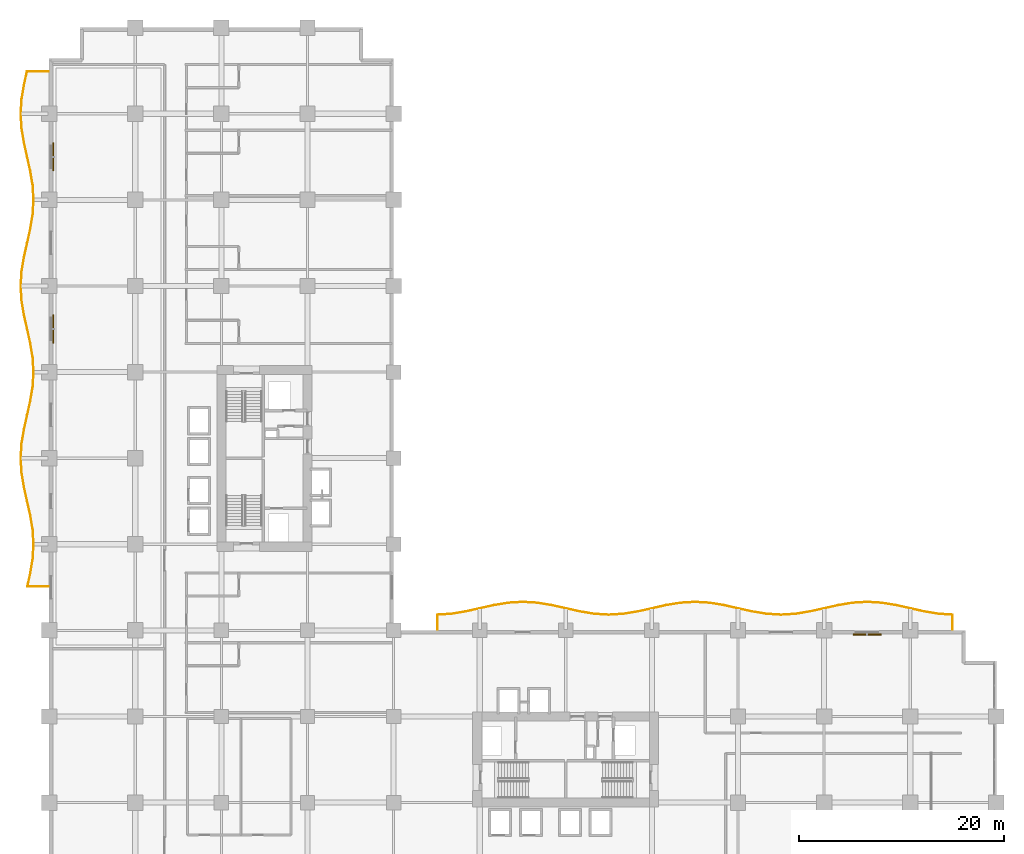
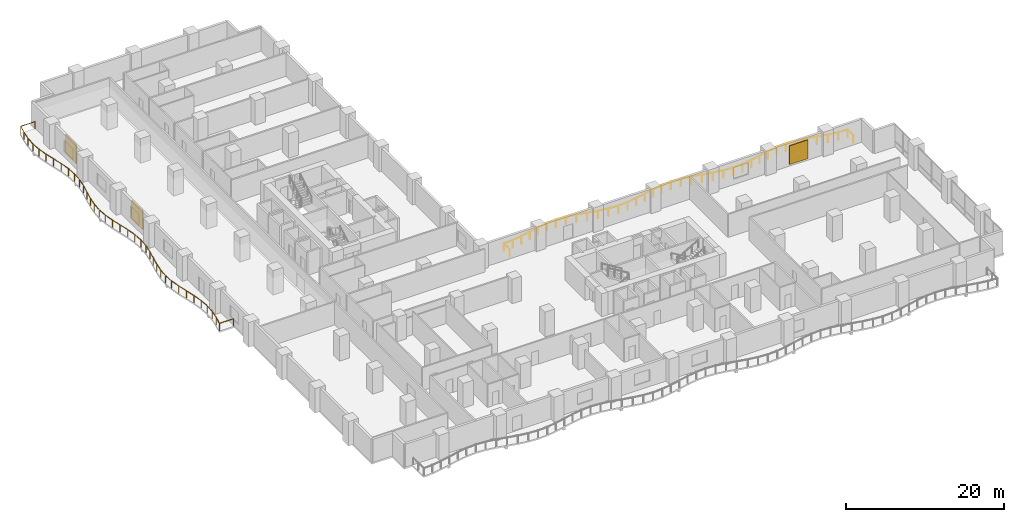
# One storey, part 27 of 27: 3 shading devices, 2 railings.
"""IFC4 building model written with IfcOpenShell, lengths in metres."""

from ifc_helpers import new_model, si_unit, direction, frame, origin, origin_2d, place, context, subcontext, project, spatial, rectangle, circle, extrude, material, layer, layer_set, type_object, element, save


model = new_model("IFC4")

# Units and contexts
model_context = context("Model", 3, precision=1e-05, world=origin(), true_north=direction((0.0, 1.0)))
body_context = subcontext(model_context, "Body", "Model", "MODEL_VIEW")
ifc_project = project(units=[si_unit("LENGTHUNIT", "METRE"), si_unit("AREAUNIT", "SQUARE_METRE"), si_unit("VOLUMEUNIT", "CUBIC_METRE"), si_unit("PLANEANGLEUNIT", "RADIAN"), si_unit("MASSUNIT", "GRAM", prefix="KILO")], contexts=[model_context])

# Site, building, storey
site_placement = place(None, origin())
site = spatial("IfcSite", under=ifc_project, at=site_placement, CompositionType="ELEMENT")
building_placement = place(site_placement, origin())
building = spatial("IfcBuilding", under=site, at=building_placement, Name="Koriwani Terraces Tower", CompositionType="ELEMENT")
storey_placement = place(building_placement, frame((0.0, 0.0, 54.800048828125)))
storey = spatial("IfcBuildingStorey", under=building, at=storey_placement, Name="L12", CompositionType="ELEMENT", Elevation=54.800048828125)

# Railings
ifc_material_1 = material(Name="Steel ASTM A572 Grade 50", Category="steel")
railing_type = type_object("IfcRailingType", Name="GUARD_BALUSTRADE_1150", PredefinedType="BALUSTRADE", material=ifc_material_1)
railing_1_placement = place(storey_placement, frame((-0.080078125, 37.8798828125, 0.0)))
element("IfcRailing", 1, at=railing_1_placement, inside=storey, type_object=railing_type, Name="L12 Balcony Perimeter Safety Balustrade (W)", PredefinedType="BALUSTRADE", context=body_context, shape_type="SweptSolid", body=[
    extrude(circle(Radius=0.02392578125, at=origin_2d()), frame((0.0, 0.0, 1.1259765625), z_axis=(-1.0, 0.0, 0.0), x_axis=(0.0, -1.0, 0.0)), (0.0, 0.0, 1.0), 2.045166015625),
    extrude(circle(Radius=0.02392578125, at=origin_2d()), frame((-2.045166015625, 0.0, 1.1259765625), z_axis=(0.217839055917, 0.975984705678, 0.0), x_axis=(-0.975984705678, 0.217839055917, 0.0)), (0.0, 0.0, 1.0), 1.337158203125),
    extrude(circle(Radius=0.02392578125, at=origin_2d()), frame((-1.75390625, 1.304931640625, 1.1259765625), z_axis=(0.161203411159, 0.986921202645, 0.0), x_axis=(-0.986921202645, 0.161203411159, 0.0)), (0.0, 0.0, 1.0), 1.425048828125),
    extrude(circle(Radius=0.02392578125, at=origin_2d()), frame((-1.524169921875, 2.71142578125, 1.1259765625), z_axis=(0.059685432622, 0.998217235442, 0.0), x_axis=(-0.998217235442, 0.059685432622, 0.0)), (0.0, 0.0, 1.0), 1.4111328125),
    extrude(circle(Radius=0.02392578125, at=origin_2d()), frame((-1.43994140625, 4.1201171875, 1.1259765625), z_axis=(-0.059685432622, 0.998217235442, 0.0), x_axis=(-0.998217235442, -0.059685432622, 0.0)), (0.0, 0.0, 1.0), 1.4111328125),
    extrude(circle(Radius=0.02392578125, at=origin_2d()), frame((-1.524169921875, 5.52880859375, 1.1259765625), z_axis=(-0.161203411159, 0.986921202645, 0.0), x_axis=(-0.986921202645, -0.161203411159, 0.0)), (0.0, 0.0, 1.0), 1.425048828125),
    extrude(circle(Radius=0.02392578125, at=origin_2d()), frame((-1.75390625, 6.935302734375, 1.1259765625), z_axis=(-0.217849413893, 0.975982393728, 0.0), x_axis=(-0.975982393728, -0.217849413893, 0.0)), (0.0, 0.0, 1.0), 2.868896484375),
    extrude(circle(Radius=0.02392578125, at=origin_2d()), frame((-2.37890625, 9.7353515625, 1.1259765625), z_axis=(-0.16131405304, 0.986903124066, 0.0), x_axis=(-0.986903124066, -0.16131405304, 0.0)), (0.0, 0.0, 1.0), 1.412109375),
    extrude(circle(Radius=0.02392578125, at=origin_2d()), frame((-2.606689453125, 11.12890625, 1.1259765625), z_axis=(-0.059738678687, 0.998214050326, 0.0), x_axis=(-0.998214050326, -0.059738678687, 0.0)), (0.0, 0.0, 1.0), 1.3935546875),
    extrude(circle(Radius=0.02392578125, at=origin_2d()), frame((-2.68994140625, 12.52001953125, 1.1259765625), z_axis=(0.059738678687, 0.998214050326, 0.0), x_axis=(-0.998214050326, 0.059738678687, 0.0)), (0.0, 0.0, 1.0), 1.3935546875),
    extrude(circle(Radius=0.02392578125, at=origin_2d()), frame((-2.606689453125, 13.9111328125, 1.1259765625), z_axis=(0.161286532042, 0.986907622111, 0.0), x_axis=(-0.986907622111, 0.161286532042, 0.0)), (0.0, 0.0, 1.0), 1.412353515625),
    extrude(circle(Radius=0.02392578125, at=origin_2d()), frame((-2.37890625, 15.304931640625, 1.1259765625), z_axis=(0.217849413893, 0.975982393728, 0.0), x_axis=(-0.975982393728, 0.217849413893, 0.0)), (0.0, 0.0, 1.0), 2.868896484375),
    extrude(circle(Radius=0.02392578125, at=origin_2d()), frame((-1.75390625, 18.10498046875, 1.1259765625), z_axis=(0.161230670401, 0.986916749742, 0.0), x_axis=(-0.986916749742, 0.161230670401, 0.0)), (0.0, 0.0, 1.0), 1.4248046875),
    extrude(circle(Radius=0.02392578125, at=origin_2d()), frame((-1.524169921875, 19.51123046875, 1.1259765625), z_axis=(0.059675127152, 0.998217851573, 0.0), x_axis=(-0.998217851573, 0.059675127152, 0.0)), (0.0, 0.0, 1.0), 1.411376953125),
    extrude(circle(Radius=0.02392578125, at=origin_2d()), frame((-1.43994140625, 20.920166015625, 1.1259765625), z_axis=(-0.059685432622, 0.998217235442, 0.0), x_axis=(-0.998217235442, -0.059685432622, 0.0)), (0.0, 0.0, 1.0), 1.4111328125),
    extrude(circle(Radius=0.02392578125, at=origin_2d()), frame((-1.524169921875, 22.328857421875, 1.1259765625), z_axis=(-0.161203411159, 0.986921202645, 0.0), x_axis=(-0.986921202645, -0.161203411159, 0.0)), (0.0, 0.0, 1.0), 1.425048828125),
    extrude(circle(Radius=0.02392578125, at=origin_2d()), frame((-1.75390625, 23.7353515625, 1.1259765625), z_axis=(-0.217849413893, 0.975982393728, 0.0), x_axis=(-0.975982393728, -0.217849413893, 0.0)), (0.0, 0.0, 1.0), 2.868896484375),
    extrude(circle(Radius=0.02392578125, at=origin_2d()), frame((-2.37890625, 26.535400390625, 1.1259765625), z_axis=(-0.16131405304, 0.986903124066, 0.0), x_axis=(-0.986903124066, -0.16131405304, 0.0)), (0.0, 0.0, 1.0), 1.412109375),
    extrude(circle(Radius=0.02392578125, at=origin_2d()), frame((-2.606689453125, 27.928955078125, 1.1259765625), z_axis=(-0.059738678687, 0.998214050326, 0.0), x_axis=(-0.998214050326, -0.059738678687, 0.0)), (0.0, 0.0, 1.0), 1.3935546875),
    extrude(circle(Radius=0.02392578125, at=origin_2d()), frame((-2.68994140625, 29.320068359375, 1.1259765625), z_axis=(0.059738678687, 0.998214050326, 0.0), x_axis=(-0.998214050326, 0.059738678687, 0.0)), (0.0, 0.0, 1.0), 1.3935546875),
    extrude(circle(Radius=0.02392578125, at=origin_2d()), frame((-2.606689453125, 30.711181640625, 1.1259765625), z_axis=(0.161286532042, 0.986907622111, 0.0), x_axis=(-0.986907622111, 0.161286532042, 0.0)), (0.0, 0.0, 1.0), 1.412353515625),
    extrude(circle(Radius=0.02392578125, at=origin_2d()), frame((-2.37890625, 32.10498046875, 1.1259765625), z_axis=(0.217849413893, 0.975982393728, 0.0), x_axis=(-0.975982393728, 0.217849413893, 0.0)), (0.0, 0.0, 1.0), 2.868896484375),
    extrude(circle(Radius=0.02392578125, at=origin_2d()), frame((-1.75390625, 34.905029296875, 1.1259765625), z_axis=(0.161230670401, 0.986916749742, 0.0), x_axis=(-0.986916749742, 0.161230670401, 0.0)), (0.0, 0.0, 1.0), 1.4248046875),
    extrude(circle(Radius=0.02392578125, at=origin_2d()), frame((-1.524169921875, 36.311279296875, 1.1259765625), z_axis=(0.059675127152, 0.998217851573, 0.0), x_axis=(-0.998217851573, 0.059675127152, 0.0)), (0.0, 0.0, 1.0), 1.411376953125),
    extrude(circle(Radius=0.02392578125, at=origin_2d()), frame((-1.43994140625, 37.72021484375, 1.1259765625), z_axis=(-0.059685432622, 0.998217235442, 0.0), x_axis=(-0.998217235442, -0.059685432622, 0.0)), (0.0, 0.0, 1.0), 1.4111328125),
    extrude(circle(Radius=0.02392578125, at=origin_2d()), frame((-1.524169921875, 39.12890625, 1.1259765625), z_axis=(-0.161203411159, 0.986921202645, 0.0), x_axis=(-0.986921202645, -0.161203411159, 0.0)), (0.0, 0.0, 1.0), 1.425048828125),
    extrude(circle(Radius=0.02392578125, at=origin_2d()), frame((-1.75390625, 40.535400390625, 1.1259765625), z_axis=(-0.217867508535, 0.97597835464, 0.0), x_axis=(-0.97597835464, -0.217867508535, 0.0)), (0.0, 0.0, 1.0), 2.86865234375),
    extrude(circle(Radius=0.02392578125, at=origin_2d()), frame((-2.37890625, 43.335205078125, 1.1259765625), z_axis=(-0.161286532042, 0.986907622111, 0.0), x_axis=(-0.986907622111, -0.161286532042, 0.0)), (0.0, 0.0, 1.0), 1.412353515625),
    extrude(circle(Radius=0.02392578125, at=origin_2d()), frame((-2.606689453125, 44.72900390625, 1.1259765625), z_axis=(-0.059738678687, 0.998214050326, 0.0), x_axis=(-0.998214050326, -0.059738678687, 0.0)), (0.0, 0.0, 1.0), 1.3935546875),
    extrude(circle(Radius=0.02392578125, at=origin_2d()), frame((-2.68994140625, 46.1201171875, 1.1259765625), z_axis=(0.059738678687, 0.998214050326, 0.0), x_axis=(-0.998214050326, 0.059738678687, 0.0)), (0.0, 0.0, 1.0), 1.3935546875),
    extrude(circle(Radius=0.02392578125, at=origin_2d()), frame((-2.606689453125, 47.51123046875, 1.1259765625), z_axis=(0.161286532042, 0.986907622111, 0.0), x_axis=(-0.986907622111, 0.161286532042, 0.0)), (0.0, 0.0, 1.0), 1.412353515625),
    extrude(circle(Radius=0.02392578125, at=origin_2d()), frame((-2.37890625, 48.905029296875, 1.1259765625), z_axis=(0.217894011137, 0.97597243809, 0.0), x_axis=(-0.97597243809, 0.217894011137, 0.0)), (0.0, 0.0, 1.0), 1.3681640625),
    extrude(circle(Radius=0.02392578125, at=origin_2d()), frame((-2.080810546875, 50.240234375, 1.1259765625), z_axis=(1.0, 0.0, 0.0), x_axis=(0.0, 1.0, 0.0)), (0.0, 0.0, 1.0), 2.080810546875),
    extrude(circle(Radius=0.02099609375, at=origin_2d()), origin(), (0.0, 0.0, 1.0), 1.101806640625),
    extrude(circle(Radius=0.02099609375, at=origin_2d()), frame((-2.045166015625, 0.0, 0.0)), (0.0, 0.0, 1.0), 1.101806640625),
    extrude(circle(Radius=0.02099609375, at=origin_2d()), frame((-1.75390625, 1.304931640625, 0.0)), (0.0, 0.0, 1.0), 1.101806640625),
    extrude(circle(Radius=0.02099609375, at=origin_2d()), frame((-1.524169921875, 2.71142578125, 0.0)), (0.0, 0.0, 1.0), 1.101806640625),
    extrude(circle(Radius=0.02099609375, at=origin_2d()), frame((-1.43994140625, 4.1201171875, 0.0)), (0.0, 0.0, 1.0), 1.101806640625),
    extrude(circle(Radius=0.02099609375, at=origin_2d()), frame((-1.524169921875, 5.52880859375, 0.0)), (0.0, 0.0, 1.0), 1.101806640625),
    extrude(circle(Radius=0.02099609375, at=origin_2d()), frame((-1.75390625, 6.935302734375, 0.0)), (0.0, 0.0, 1.0), 1.101806640625),
    extrude(circle(Radius=0.02099609375, at=origin_2d()), frame((-2.06640625, 8.33544921875, 0.0)), (0.0, 0.0, 1.0), 1.101806640625),
    extrude(circle(Radius=0.02099609375, at=origin_2d()), frame((-2.37890625, 9.7353515625, 0.0)), (0.0, 0.0, 1.0), 1.101806640625),
    extrude(circle(Radius=0.02099609375, at=origin_2d()), frame((-2.606689453125, 11.12890625, 0.0)), (0.0, 0.0, 1.0), 1.101806640625),
    extrude(circle(Radius=0.02099609375, at=origin_2d()), frame((-2.68994140625, 12.52001953125, 0.0)), (0.0, 0.0, 1.0), 1.101806640625),
    extrude(circle(Radius=0.02099609375, at=origin_2d()), frame((-2.606689453125, 13.9111328125, 0.0)), (0.0, 0.0, 1.0), 1.101806640625),
    extrude(circle(Radius=0.02099609375, at=origin_2d()), frame((-2.37890625, 15.304931640625, 0.0)), (0.0, 0.0, 1.0), 1.101806640625),
    extrude(circle(Radius=0.02099609375, at=origin_2d()), frame((-2.06640625, 16.705078125, 0.0)), (0.0, 0.0, 1.0), 1.101806640625),
    extrude(circle(Radius=0.02099609375, at=origin_2d()), frame((-1.75390625, 18.10498046875, 0.0)), (0.0, 0.0, 1.0), 1.101806640625),
    extrude(circle(Radius=0.02099609375, at=origin_2d()), frame((-1.524169921875, 19.51123046875, 0.0)), (0.0, 0.0, 1.0), 1.101806640625),
    extrude(circle(Radius=0.02099609375, at=origin_2d()), frame((-1.43994140625, 20.920166015625, 0.0)), (0.0, 0.0, 1.0), 1.101806640625),
    extrude(circle(Radius=0.02099609375, at=origin_2d()), frame((-1.524169921875, 22.328857421875, 0.0)), (0.0, 0.0, 1.0), 1.101806640625),
    extrude(circle(Radius=0.02099609375, at=origin_2d()), frame((-1.75390625, 23.7353515625, 0.0)), (0.0, 0.0, 1.0), 1.101806640625),
    extrude(circle(Radius=0.02099609375, at=origin_2d()), frame((-2.06640625, 25.13525390625, 0.0)), (0.0, 0.0, 1.0), 1.101806640625),
    extrude(circle(Radius=0.02099609375, at=origin_2d()), frame((-2.37890625, 26.535400390625, 0.0)), (0.0, 0.0, 1.0), 1.101806640625),
    extrude(circle(Radius=0.02099609375, at=origin_2d()), frame((-2.606689453125, 27.928955078125, 0.0)), (0.0, 0.0, 1.0), 1.101806640625),
    extrude(circle(Radius=0.02099609375, at=origin_2d()), frame((-2.68994140625, 29.320068359375, 0.0)), (0.0, 0.0, 1.0), 1.101806640625),
    extrude(circle(Radius=0.02099609375, at=origin_2d()), frame((-2.606689453125, 30.711181640625, 0.0)), (0.0, 0.0, 1.0), 1.101806640625),
    extrude(circle(Radius=0.02099609375, at=origin_2d()), frame((-2.37890625, 32.10498046875, 0.0)), (0.0, 0.0, 1.0), 1.101806640625),
    extrude(circle(Radius=0.02099609375, at=origin_2d()), frame((-2.06640625, 33.5048828125, 0.0)), (0.0, 0.0, 1.0), 1.101806640625),
    extrude(circle(Radius=0.02099609375, at=origin_2d()), frame((-1.75390625, 34.905029296875, 0.0)), (0.0, 0.0, 1.0), 1.101806640625),
    extrude(circle(Radius=0.02099609375, at=origin_2d()), frame((-1.524169921875, 36.311279296875, 0.0)), (0.0, 0.0, 1.0), 1.101806640625),
    extrude(circle(Radius=0.02099609375, at=origin_2d()), frame((-1.43994140625, 37.72021484375, 0.0)), (0.0, 0.0, 1.0), 1.101806640625),
    extrude(circle(Radius=0.02099609375, at=origin_2d()), frame((-1.524169921875, 39.12890625, 0.0)), (0.0, 0.0, 1.0), 1.101806640625),
    extrude(circle(Radius=0.02099609375, at=origin_2d()), frame((-1.75390625, 40.535400390625, 0.0)), (0.0, 0.0, 1.0), 1.101806640625),
    extrude(circle(Radius=0.02099609375, at=origin_2d()), frame((-2.06640625, 41.935302734375, 0.0)), (0.0, 0.0, 1.0), 1.101806640625),
    extrude(circle(Radius=0.02099609375, at=origin_2d()), frame((-2.37890625, 43.335205078125, 0.0)), (0.0, 0.0, 1.0), 1.101806640625),
    extrude(circle(Radius=0.02099609375, at=origin_2d()), frame((-2.606689453125, 44.72900390625, 0.0)), (0.0, 0.0, 1.0), 1.101806640625),
    extrude(circle(Radius=0.02099609375, at=origin_2d()), frame((-2.68994140625, 46.1201171875, 0.0)), (0.0, 0.0, 1.0), 1.101806640625),
    extrude(circle(Radius=0.02099609375, at=origin_2d()), frame((-2.606689453125, 47.51123046875, 0.0)), (0.0, 0.0, 1.0), 1.101806640625),
    extrude(circle(Radius=0.02099609375, at=origin_2d()), frame((-2.37890625, 48.905029296875, 0.0)), (0.0, 0.0, 1.0), 1.101806640625),
    extrude(circle(Radius=0.02099609375, at=origin_2d()), frame((-2.080810546875, 50.240234375, 0.0)), (0.0, 0.0, 1.0), 1.101806640625),
    extrude(circle(Radius=0.02099609375, at=origin_2d()), frame((0.0, 50.240234375, 0.0)), (0.0, 0.0, 1.0), 1.101806640625),
])
railing_2_placement = place(storey_placement, frame((88.1201171875, 33.679931640625, 0.0)))
element("IfcRailing", 2, at=railing_2_placement, inside=storey, type_object=railing_type, Name="L12 Balcony Perimeter Safety Balustrade (NE)", PredefinedType="BALUSTRADE", context=body_context, shape_type="SweptSolid", body=[
    extrude(circle(Radius=0.02392578125, at=origin_2d()), frame((0.0, 0.0, 1.1259765625), z_axis=(0.0, 1.0, 0.0), x_axis=(-1.0, 0.0, 0.0)), (0.0, 0.0, 1.0), 1.444580078125),
    extrude(circle(Radius=0.02392578125, at=origin_2d()), frame((0.0, 1.444580078125, 1.1259765625), z_axis=(-0.998200237626, 0.059969038711, 0.0), x_axis=(-0.059969038711, -0.998200237626, 0.0)), (0.0, 0.0, 1.0), 1.331298828125),
    extrude(circle(Radius=0.02392578125, at=origin_2d()), frame((-1.328857421875, 1.5244140625, 1.1259765625), z_axis=(-0.986921202645, 0.161203411159, 0.0), x_axis=(-0.161203411159, -0.986921202645, 0.0)), (0.0, 0.0, 1.0), 1.425048828125),
    extrude(circle(Radius=0.02392578125, at=origin_2d()), frame((-2.7353515625, 1.754150390625, 1.1259765625), z_axis=(-0.976000483873, 0.217768352797, 0.0), x_axis=(-0.217768352797, -0.976000483873, 0.0)), (0.0, 0.0, 1.0), 2.868896484375),
    extrude(circle(Radius=0.02392578125, at=origin_2d()), frame((-5.535400390625, 2.37890625, 1.1259765625), z_axis=(-0.986903124066, 0.16131405304, 0.0), x_axis=(-0.16131405304, -0.986903124066, 0.0)), (0.0, 0.0, 1.0), 1.412109375),
    extrude(circle(Radius=0.02392578125, at=origin_2d()), frame((-6.928955078125, 2.606689453125, 1.1259765625), z_axis=(-0.998214050326, 0.059738678687, 0.0), x_axis=(-0.059738678687, -0.998214050326, 0.0)), (0.0, 0.0, 1.0), 1.3935546875),
    extrude(circle(Radius=0.02392578125, at=origin_2d()), frame((-8.320068359375, 2.68994140625, 1.1259765625), z_axis=(-0.998214050326, -0.059738678687, 0.0), x_axis=(0.059738678687, -0.998214050326, 0.0)), (0.0, 0.0, 1.0), 1.3935546875),
    extrude(circle(Radius=0.02392578125, at=origin_2d()), frame((-9.711181640625, 2.606689453125, 1.1259765625), z_axis=(-0.986907622111, -0.161286532042, 0.0), x_axis=(0.161286532042, -0.986907622111, 0.0)), (0.0, 0.0, 1.0), 1.412353515625),
    extrude(circle(Radius=0.02392578125, at=origin_2d()), frame((-11.10498046875, 2.37890625, 1.1259765625), z_axis=(-0.976000483873, -0.217768352797, 0.0), x_axis=(0.217768352797, -0.976000483873, 0.0)), (0.0, 0.0, 1.0), 2.868896484375),
    extrude(circle(Radius=0.02392578125, at=origin_2d()), frame((-13.905029296875, 1.754150390625, 1.1259765625), z_axis=(-0.986916749742, -0.161230670401, 0.0), x_axis=(0.161230670401, -0.986916749742, 0.0)), (0.0, 0.0, 1.0), 1.4248046875),
    extrude(circle(Radius=0.02392578125, at=origin_2d()), frame((-15.311279296875, 1.5244140625, 1.1259765625), z_axis=(-0.998217851573, -0.059675127152, 0.0), x_axis=(0.059675127152, -0.998217851573, 0.0)), (0.0, 0.0, 1.0), 1.411376953125),
    extrude(circle(Radius=0.02392578125, at=origin_2d()), frame((-16.72021484375, 1.440185546875, 1.1259765625), z_axis=(-0.998217235442, 0.059685432622, 0.0), x_axis=(-0.059685432622, -0.998217235442, 0.0)), (0.0, 0.0, 1.0), 1.4111328125),
    extrude(circle(Radius=0.02392578125, at=origin_2d()), frame((-18.12890625, 1.5244140625, 1.1259765625), z_axis=(-0.986921202645, 0.161203411159, 0.0), x_axis=(-0.161203411159, -0.986921202645, 0.0)), (0.0, 0.0, 1.0), 1.425048828125),
    extrude(circle(Radius=0.02392578125, at=origin_2d()), frame((-19.535400390625, 1.754150390625, 1.1259765625), z_axis=(-0.975996447715, 0.217786441376, 0.0), x_axis=(-0.217786441376, -0.975996447715, 0.0)), (0.0, 0.0, 1.0), 2.86865234375),
    extrude(circle(Radius=0.02392578125, at=origin_2d()), frame((-22.335205078125, 2.37890625, 1.1259765625), z_axis=(-0.986907622111, 0.161286532042, 0.0), x_axis=(-0.161286532042, -0.986907622111, 0.0)), (0.0, 0.0, 1.0), 1.412353515625),
    extrude(circle(Radius=0.02392578125, at=origin_2d()), frame((-23.72900390625, 2.606689453125, 1.1259765625), z_axis=(-0.998214050326, 0.059738678687, 0.0), x_axis=(-0.059738678687, -0.998214050326, 0.0)), (0.0, 0.0, 1.0), 1.3935546875),
    extrude(circle(Radius=0.02392578125, at=origin_2d()), frame((-25.1201171875, 2.68994140625, 1.1259765625), z_axis=(-0.998214050326, -0.059738678687, 0.0), x_axis=(0.059738678687, -0.998214050326, 0.0)), (0.0, 0.0, 1.0), 1.3935546875),
    extrude(circle(Radius=0.02392578125, at=origin_2d()), frame((-26.51123046875, 2.606689453125, 1.1259765625), z_axis=(-0.986907622111, -0.161286532042, 0.0), x_axis=(0.161286532042, -0.986907622111, 0.0)), (0.0, 0.0, 1.0), 1.412353515625),
    extrude(circle(Radius=0.02392578125, at=origin_2d()), frame((-27.905029296875, 2.37890625, 1.1259765625), z_axis=(-0.975996447715, -0.217786441376, 0.0), x_axis=(0.217786441376, -0.975996447715, 0.0)), (0.0, 0.0, 1.0), 2.86865234375),
    extrude(circle(Radius=0.02392578125, at=origin_2d()), frame((-30.704833984375, 1.754150390625, 1.1259765625), z_axis=(-0.986921202645, -0.161203411159, 0.0), x_axis=(0.161203411159, -0.986921202645, 0.0)), (0.0, 0.0, 1.0), 1.425048828125),
    extrude(circle(Radius=0.02392578125, at=origin_2d()), frame((-32.111328125, 1.5244140625, 1.1259765625), z_axis=(-0.998217235442, -0.059685432622, 0.0), x_axis=(0.059685432622, -0.998217235442, 0.0)), (0.0, 0.0, 1.0), 1.4111328125),
    extrude(circle(Radius=0.02392578125, at=origin_2d()), frame((-33.52001953125, 1.440185546875, 1.1259765625), z_axis=(-0.998217851573, 0.059675127152, 0.0), x_axis=(-0.059675127152, -0.998217851573, 0.0)), (0.0, 0.0, 1.0), 1.411376953125),
    extrude(circle(Radius=0.02392578125, at=origin_2d()), frame((-34.928955078125, 1.5244140625, 1.1259765625), z_axis=(-0.986916749742, 0.161230670401, 0.0), x_axis=(-0.161230670401, -0.986916749742, 0.0)), (0.0, 0.0, 1.0), 1.4248046875),
    extrude(circle(Radius=0.02392578125, at=origin_2d()), frame((-36.335205078125, 1.754150390625, 1.1259765625), z_axis=(-0.976000483873, 0.217768352797, 0.0), x_axis=(-0.217768352797, -0.976000483873, 0.0)), (0.0, 0.0, 1.0), 2.868896484375),
    extrude(circle(Radius=0.02392578125, at=origin_2d()), frame((-39.13525390625, 2.37890625, 1.1259765625), z_axis=(-0.986907622111, 0.161286532042, 0.0), x_axis=(-0.161286532042, -0.986907622111, 0.0)), (0.0, 0.0, 1.0), 1.412353515625),
    extrude(circle(Radius=0.02392578125, at=origin_2d()), frame((-40.529052734375, 2.606689453125, 1.1259765625), z_axis=(-0.998214050326, 0.059738678687, 0.0), x_axis=(-0.059738678687, -0.998214050326, 0.0)), (0.0, 0.0, 1.0), 1.3935546875),
    extrude(circle(Radius=0.02392578125, at=origin_2d()), frame((-41.920166015625, 2.68994140625, 1.1259765625), z_axis=(-0.998214050326, -0.059738678687, 0.0), x_axis=(0.059738678687, -0.998214050326, 0.0)), (0.0, 0.0, 1.0), 1.3935546875),
    extrude(circle(Radius=0.02392578125, at=origin_2d()), frame((-43.311279296875, 2.606689453125, 1.1259765625), z_axis=(-0.986903124066, -0.16131405304, 0.0), x_axis=(0.16131405304, -0.986903124066, 0.0)), (0.0, 0.0, 1.0), 1.412109375),
    extrude(circle(Radius=0.02392578125, at=origin_2d()), frame((-44.704833984375, 2.37890625, 1.1259765625), z_axis=(-0.976000483873, -0.217768352797, 0.0), x_axis=(0.217768352797, -0.976000483873, 0.0)), (0.0, 0.0, 1.0), 2.868896484375),
    extrude(circle(Radius=0.02392578125, at=origin_2d()), frame((-47.5048828125, 1.754150390625, 1.1259765625), z_axis=(-0.986921202645, -0.161203411159, 0.0), x_axis=(0.161203411159, -0.986921202645, 0.0)), (0.0, 0.0, 1.0), 1.425048828125),
    extrude(circle(Radius=0.02392578125, at=origin_2d()), frame((-48.911376953125, 1.5244140625, 1.1259765625), z_axis=(-0.998200237626, -0.059969038711, 0.0), x_axis=(0.059969038711, -0.998200237626, 0.0)), (0.0, 0.0, 1.0), 1.331298828125),
    extrude(circle(Radius=0.02392578125, at=origin_2d()), frame((-50.240234375, 1.444580078125, 1.1259765625), z_axis=(0.0, -1.0, 0.0), x_axis=(1.0, 0.0, 0.0)), (0.0, 0.0, 1.0), 1.444580078125),
    extrude(circle(Radius=0.02099609375, at=origin_2d()), origin(), (0.0, 0.0, 1.0), 1.101806640625),
    extrude(circle(Radius=0.02099609375, at=origin_2d()), frame((0.0, 1.444580078125, 0.0)), (0.0, 0.0, 1.0), 1.101806640625),
    extrude(circle(Radius=0.02099609375, at=origin_2d()), frame((-1.328857421875, 1.5244140625, 0.0)), (0.0, 0.0, 1.0), 1.101806640625),
    extrude(circle(Radius=0.02099609375, at=origin_2d()), frame((-2.7353515625, 1.754150390625, 0.0)), (0.0, 0.0, 1.0), 1.101806640625),
    extrude(circle(Radius=0.02099609375, at=origin_2d()), frame((-4.13525390625, 2.06640625, 0.0)), (0.0, 0.0, 1.0), 1.101806640625),
    extrude(circle(Radius=0.02099609375, at=origin_2d()), frame((-5.535400390625, 2.37890625, 0.0)), (0.0, 0.0, 1.0), 1.101806640625),
    extrude(circle(Radius=0.02099609375, at=origin_2d()), frame((-6.928955078125, 2.606689453125, 0.0)), (0.0, 0.0, 1.0), 1.101806640625),
    extrude(circle(Radius=0.02099609375, at=origin_2d()), frame((-8.320068359375, 2.68994140625, 0.0)), (0.0, 0.0, 1.0), 1.101806640625),
    extrude(circle(Radius=0.02099609375, at=origin_2d()), frame((-9.711181640625, 2.606689453125, 0.0)), (0.0, 0.0, 1.0), 1.101806640625),
    extrude(circle(Radius=0.02099609375, at=origin_2d()), frame((-11.10498046875, 2.37890625, 0.0)), (0.0, 0.0, 1.0), 1.101806640625),
    extrude(circle(Radius=0.02099609375, at=origin_2d()), frame((-12.5048828125, 2.06640625, 0.0)), (0.0, 0.0, 1.0), 1.101806640625),
    extrude(circle(Radius=0.02099609375, at=origin_2d()), frame((-13.905029296875, 1.754150390625, 0.0)), (0.0, 0.0, 1.0), 1.101806640625),
    extrude(circle(Radius=0.02099609375, at=origin_2d()), frame((-15.311279296875, 1.5244140625, 0.0)), (0.0, 0.0, 1.0), 1.101806640625),
    extrude(circle(Radius=0.02099609375, at=origin_2d()), frame((-16.72021484375, 1.440185546875, 0.0)), (0.0, 0.0, 1.0), 1.101806640625),
    extrude(circle(Radius=0.02099609375, at=origin_2d()), frame((-18.12890625, 1.5244140625, 0.0)), (0.0, 0.0, 1.0), 1.101806640625),
    extrude(circle(Radius=0.02099609375, at=origin_2d()), frame((-19.535400390625, 1.754150390625, 0.0)), (0.0, 0.0, 1.0), 1.101806640625),
    extrude(circle(Radius=0.02099609375, at=origin_2d()), frame((-20.935302734375, 2.06640625, 0.0)), (0.0, 0.0, 1.0), 1.101806640625),
    extrude(circle(Radius=0.02099609375, at=origin_2d()), frame((-22.335205078125, 2.37890625, 0.0)), (0.0, 0.0, 1.0), 1.101806640625),
    extrude(circle(Radius=0.02099609375, at=origin_2d()), frame((-23.72900390625, 2.606689453125, 0.0)), (0.0, 0.0, 1.0), 1.101806640625),
    extrude(circle(Radius=0.02099609375, at=origin_2d()), frame((-25.1201171875, 2.68994140625, 0.0)), (0.0, 0.0, 1.0), 1.101806640625),
    extrude(circle(Radius=0.02099609375, at=origin_2d()), frame((-26.51123046875, 2.606689453125, 0.0)), (0.0, 0.0, 1.0), 1.101806640625),
    extrude(circle(Radius=0.02099609375, at=origin_2d()), frame((-27.905029296875, 2.37890625, 0.0)), (0.0, 0.0, 1.0), 1.101806640625),
    extrude(circle(Radius=0.02099609375, at=origin_2d()), frame((-29.304931640625, 2.06640625, 0.0)), (0.0, 0.0, 1.0), 1.101806640625),
    extrude(circle(Radius=0.02099609375, at=origin_2d()), frame((-30.704833984375, 1.754150390625, 0.0)), (0.0, 0.0, 1.0), 1.101806640625),
    extrude(circle(Radius=0.02099609375, at=origin_2d()), frame((-32.111328125, 1.5244140625, 0.0)), (0.0, 0.0, 1.0), 1.101806640625),
    extrude(circle(Radius=0.02099609375, at=origin_2d()), frame((-33.52001953125, 1.440185546875, 0.0)), (0.0, 0.0, 1.0), 1.101806640625),
    extrude(circle(Radius=0.02099609375, at=origin_2d()), frame((-34.928955078125, 1.5244140625, 0.0)), (0.0, 0.0, 1.0), 1.101806640625),
    extrude(circle(Radius=0.02099609375, at=origin_2d()), frame((-36.335205078125, 1.754150390625, 0.0)), (0.0, 0.0, 1.0), 1.101806640625),
    extrude(circle(Radius=0.02099609375, at=origin_2d()), frame((-37.7353515625, 2.06640625, 0.0)), (0.0, 0.0, 1.0), 1.101806640625),
    extrude(circle(Radius=0.02099609375, at=origin_2d()), frame((-39.13525390625, 2.37890625, 0.0)), (0.0, 0.0, 1.0), 1.101806640625),
    extrude(circle(Radius=0.02099609375, at=origin_2d()), frame((-40.529052734375, 2.606689453125, 0.0)), (0.0, 0.0, 1.0), 1.101806640625),
    extrude(circle(Radius=0.02099609375, at=origin_2d()), frame((-41.920166015625, 2.68994140625, 0.0)), (0.0, 0.0, 1.0), 1.101806640625),
    extrude(circle(Radius=0.02099609375, at=origin_2d()), frame((-43.311279296875, 2.606689453125, 0.0)), (0.0, 0.0, 1.0), 1.101806640625),
    extrude(circle(Radius=0.02099609375, at=origin_2d()), frame((-44.704833984375, 2.37890625, 0.0)), (0.0, 0.0, 1.0), 1.101806640625),
    extrude(circle(Radius=0.02099609375, at=origin_2d()), frame((-46.10498046875, 2.06640625, 0.0)), (0.0, 0.0, 1.0), 1.101806640625),
    extrude(circle(Radius=0.02099609375, at=origin_2d()), frame((-47.5048828125, 1.754150390625, 0.0)), (0.0, 0.0, 1.0), 1.101806640625),
    extrude(circle(Radius=0.02099609375, at=origin_2d()), frame((-48.911376953125, 1.5244140625, 0.0)), (0.0, 0.0, 1.0), 1.101806640625),
    extrude(circle(Radius=0.02099609375, at=origin_2d()), frame((-50.240234375, 1.444580078125, 0.0)), (0.0, 0.0, 1.0), 1.101806640625),
    extrude(circle(Radius=0.02099609375, at=origin_2d()), frame((-50.240234375, 0.0, 0.0)), (0.0, 0.0, 1.0), 1.101806640625),
])

# Shading devices
ifc_material_2 = material(Name="Extruded Terracotta Clay", Category="masonry")
ifc_layer = layer(ifc_material_2, 0.1201171875, Name="Extruded Terracotta Clay")
ifc_layer_set = layer_set([ifc_layer], Name="Extruded Terracotta Clay")
shading_device_type = type_object("IfcShadingDeviceType", Name="TERRACOTTA_BAGUETTE_SCREEN_2800", PredefinedType="USERDEFINED", material=ifc_layer_set)
for number, where, z_axis, x_axis, name in (
    (3, (0.405029296875, 63.0, 0.324951171875), (0.0, 0.0, 1.0), (0.0, 1.0, 0.0), "L12 Extruded Terracotta Baguette Screen (W-21)"),
    (4, (0.405029296875, 79.800048828125, 0.324951171875), (0.0, 0.0, 1.0), (0.0, 1.0, 0.0), "L12 Extruded Terracotta Baguette Screen (W-27)"),
    (5, (79.800048828125, 33.195068359375, 0.324951171875), (0.0, 0.0, 1.0), (1.0, 0.0, 0.0), "L12 Extruded Terracotta Baguette Screen (NE-17)"),
):
    element("IfcShadingDevice", number, at=place(storey_placement, frame(where, z_axis=z_axis, x_axis=x_axis)), inside=storey, type_object=shading_device_type, Name=name, ObjectType="BAGUETTE", PredefinedType="USERDEFINED", context=body_context, shape_type="SweptSolid", body=[
        extrude(rectangle(XDim=2.760009765625, YDim=0.1201171875, at=origin_2d()), origin(), (0.0, 0.0, 1.0), 2.89990234375),
    ])

save(model, "model.ifc")
